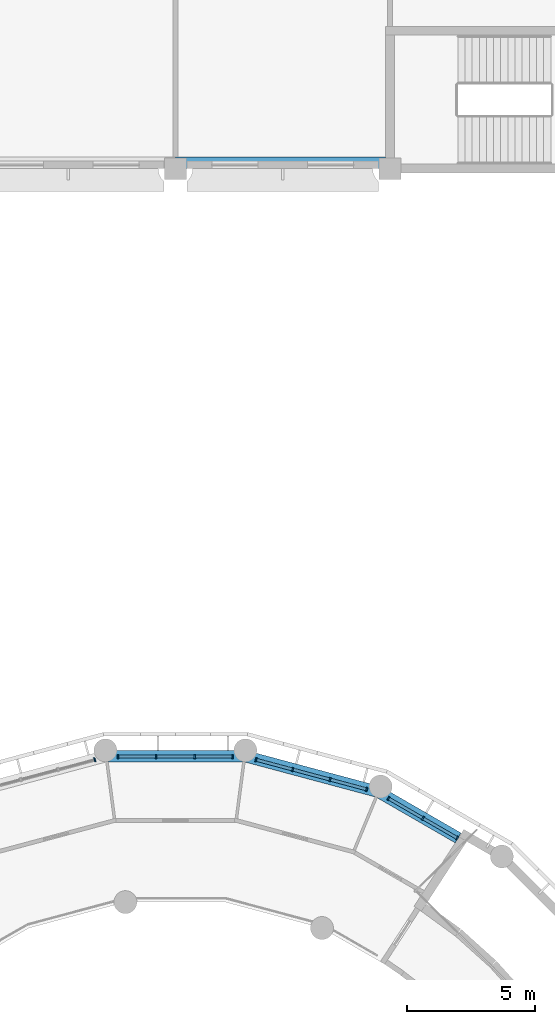
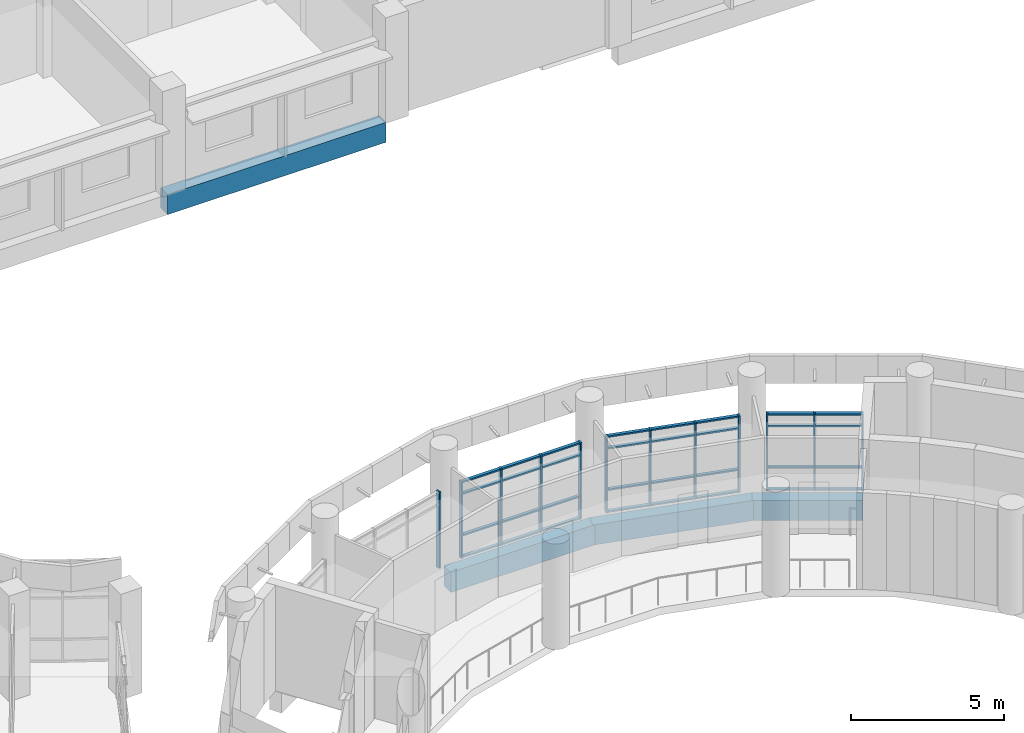
# One storey, part 25 of 109: 44 members, 4 beams, 4 elements without a shape of their own.
"""IFC4 building model written with IfcOpenShell, lengths in metres."""

from ifc_helpers import new_model, si_unit, direction, frame, origin, origin_2d, place, context, subcontext, project, spatial, rectangle, extrude, material, material_profile, profile_set, type_object, element, aggregate, save


model = new_model("IFC4")

# Units and contexts
model_context = context("Model", 3, precision=1e-05, world=origin(), true_north=direction((0.0, 1.0)))
body_context = subcontext(model_context, "Body", "Model", "MODEL_VIEW")
ifc_project = project(units=[si_unit("LENGTHUNIT", "METRE"), si_unit("AREAUNIT", "SQUARE_METRE"), si_unit("VOLUMEUNIT", "CUBIC_METRE"), si_unit("PLANEANGLEUNIT", "RADIAN"), si_unit("MASSUNIT", "GRAM", prefix="KILO")], contexts=[model_context])

# Site, building, storey
site_placement = place(None, origin())
site = spatial("IfcSite", under=ifc_project, at=site_placement, CompositionType="ELEMENT")
building_placement = place(site_placement, origin())
building = spatial("IfcBuilding", under=site, at=building_placement, Name="Bougainvillea Quay General Hospital", CompositionType="ELEMENT")
storey_placement = place(building_placement, frame((0.0, 0.0, 12.60009765625)))
storey = spatial("IfcBuildingStorey", under=building, at=storey_placement, Name="L02", CompositionType="ELEMENT", Elevation=12.60009765625)

# Curtain wall, members
ifc_material_1 = material(Name="Aluminium curtain wall system, powder-coated glazed", Category="aluminium")
curtain_wall_type_1 = type_object("IfcCurtainWallType", Name="Unitised curtain wall CW-1585", PredefinedType="NOTDEFINED", material=ifc_material_1)
curtain_wall_1_placement = place(storey_placement, origin())
curtain_wall_1 = element("IfcCurtainWall", 1, at=curtain_wall_1_placement, inside=storey, type_object=curtain_wall_type_1, Name="CW-D 00", PredefinedType="NOTDEFINED")
ifc_material_2 = material(Name="Aluminium mullion, powder-coated charcoal", Category="aluminium")
ifc_material_profile_1 = material_profile(ifc_material_2, rectangle(XDim=0.159912109375, YDim=0.06005859375, at=origin_2d()))
ifc_profile_set_1 = profile_set([ifc_material_profile_1], Name="Aluminium mullion, powder-coated charcoal")
member_type_1 = type_object("IfcMemberType", Name="Curtain wall mullion 160x60", PredefinedType="MULLION", material=ifc_profile_set_1)
member_1_placement = place(storey_placement, frame((120.2373046875, 91.379638671875, 0.0), z_axis=(0.0, 0.0, 1.0), x_axis=(-0.499964557262, -0.866045865692, 0.0)))
member_1 = element("IfcMember", 2, at=member_1_placement, type_object=member_type_1, Name="CW-D mullion 1", PredefinedType="MULLION", context=body_context, shape_type="SweptSolid", body=[
    extrude(rectangle(XDim=0.159912109375, YDim=0.06005859375, at=origin_2d()), origin(), (0.0, 0.0, 1.0), 3.0498046875),
])
member_2_placement = place(storey_placement, frame((118.890625, 92.1572265625, 0.0), z_axis=(0.0, 0.0, 1.0), x_axis=(-0.499964557262, -0.866045865692, 0.0)))
member_2 = element("IfcMember", 3, at=member_2_placement, type_object=member_type_1, Name="CW-D mullion 2", PredefinedType="MULLION", context=body_context, shape_type="SweptSolid", body=[
    extrude(rectangle(XDim=0.159912109375, YDim=0.06005859375, at=origin_2d()), origin(), (0.0, 0.0, 1.0), 3.0498046875),
])
member_3_placement = place(storey_placement, frame((117.5439453125, 92.9345703125, 0.0), z_axis=(0.0, 0.0, 1.0), x_axis=(-0.499964557262, -0.866045865692, 0.0)))
member_3 = element("IfcMember", 4, at=member_3_placement, type_object=member_type_1, Name="CW-D mullion 3", PredefinedType="MULLION", context=body_context, shape_type="SweptSolid", body=[
    extrude(rectangle(XDim=0.159912109375, YDim=0.06005859375, at=origin_2d()), origin(), (0.0, 0.0, 1.0), 3.0498046875),
])

curtain_wall_type_2 = type_object("IfcCurtainWallType", Name="Unitised curtain wall CW-1514", PredefinedType="NOTDEFINED", material=ifc_material_1)
curtain_wall_2_placement = place(storey_placement, origin())
curtain_wall_2 = element("IfcCurtainWall", 5, at=curtain_wall_2_placement, inside=storey, type_object=curtain_wall_type_2, Name="CW-D 00", PredefinedType="NOTDEFINED")
member_4_placement = place(storey_placement, frame((116.688232421875, 93.2890625, 0.0), z_axis=(0.0, 0.0, 1.0), x_axis=(-0.258854621298, -0.965916292974, 0.0)))
member_4 = element("IfcMember", 6, at=member_4_placement, type_object=member_type_1, Name="CW-D mullion 1", PredefinedType="MULLION", context=body_context, shape_type="SweptSolid", body=[
    extrude(rectangle(XDim=0.159912109375, YDim=0.06005859375, at=origin_2d()), origin(), (0.0, 0.0, 1.0), 3.0498046875),
])
member_5_placement = place(storey_placement, frame((115.2548828125, 93.673095703125, 0.0), z_axis=(0.0, 0.0, 1.0), x_axis=(-0.258854621298, -0.965916292974, 0.0)))
member_5 = element("IfcMember", 7, at=member_5_placement, type_object=member_type_1, Name="CW-D mullion 2", PredefinedType="MULLION", context=body_context, shape_type="SweptSolid", body=[
    extrude(rectangle(XDim=0.159912109375, YDim=0.06005859375, at=origin_2d()), origin(), (0.0, 0.0, 1.0), 3.0498046875),
])
member_6_placement = place(storey_placement, frame((113.792724609375, 94.06494140625, 0.0), z_axis=(0.0, 0.0, 1.0), x_axis=(-0.258854621298, -0.965916292974, 0.0)))
member_6 = element("IfcMember", 8, at=member_6_placement, type_object=member_type_1, Name="CW-D mullion 3", PredefinedType="MULLION", context=body_context, shape_type="SweptSolid", body=[
    extrude(rectangle(XDim=0.159912109375, YDim=0.06005859375, at=origin_2d()), origin(), (0.0, 0.0, 1.0), 3.0498046875),
])
member_7_placement = place(storey_placement, frame((112.359130859375, 94.448974609375, 0.0), z_axis=(0.0, 0.0, 1.0), x_axis=(-0.258854621298, -0.965916292974, 0.0)))
member_7 = element("IfcMember", 9, at=member_7_placement, type_object=member_type_1, Name="CW-D mullion 4", PredefinedType="MULLION", context=body_context, shape_type="SweptSolid", body=[
    extrude(rectangle(XDim=0.159912109375, YDim=0.06005859375, at=origin_2d()), origin(), (0.0, 0.0, 1.0), 3.0498046875),
])

curtain_wall_3_placement = place(storey_placement, origin())
curtain_wall_3 = element("IfcCurtainWall", 10, at=curtain_wall_3_placement, inside=storey, type_object=curtain_wall_type_2, Name="CW-D 00", PredefinedType="NOTDEFINED")
member_8_placement = place(storey_placement, frame((111.44091796875, 94.570068359375, 0.0), z_axis=(0.0, 0.0, 1.0), x_axis=(0.0, -1.0, 0.0)))
member_8 = element("IfcMember", 11, at=member_8_placement, type_object=member_type_1, Name="CW-D mullion 1", PredefinedType="MULLION", context=body_context, shape_type="SweptSolid", body=[
    extrude(rectangle(XDim=0.159912109375, YDim=0.06005859375, at=origin_2d()), origin(), (0.0, 0.0, 1.0), 3.0498046875),
])
member_9_placement = place(storey_placement, frame((109.95703125, 94.570068359375, 0.0), z_axis=(0.0, 0.0, 1.0), x_axis=(0.0, -1.0, 0.0)))
member_9 = element("IfcMember", 12, at=member_9_placement, type_object=member_type_1, Name="CW-D mullion 2", PredefinedType="MULLION", context=body_context, shape_type="SweptSolid", body=[
    extrude(rectangle(XDim=0.159912109375, YDim=0.06005859375, at=origin_2d()), origin(), (0.0, 0.0, 1.0), 3.0498046875),
])
member_10_placement = place(storey_placement, frame((108.443115234375, 94.570068359375, 0.0), z_axis=(0.0, 0.0, 1.0), x_axis=(0.0, -1.0, 0.0)))
member_10 = element("IfcMember", 13, at=member_10_placement, type_object=member_type_1, Name="CW-D mullion 3", PredefinedType="MULLION", context=body_context, shape_type="SweptSolid", body=[
    extrude(rectangle(XDim=0.159912109375, YDim=0.06005859375, at=origin_2d()), origin(), (0.0, 0.0, 1.0), 3.0498046875),
])
member_11_placement = place(storey_placement, frame((106.958984375, 94.570068359375, 0.0), z_axis=(0.0, 0.0, 1.0), x_axis=(0.0, -1.0, 0.0)))
member_11 = element("IfcMember", 14, at=member_11_placement, type_object=member_type_1, Name="CW-D mullion 4", PredefinedType="MULLION", context=body_context, shape_type="SweptSolid", body=[
    extrude(rectangle(XDim=0.159912109375, YDim=0.06005859375, at=origin_2d()), origin(), (0.0, 0.0, 1.0), 3.0498046875),
])

# Curtain wall, member
curtain_wall_4_placement = place(storey_placement, origin())
curtain_wall_4 = element("IfcCurtainWall", 15, at=curtain_wall_4_placement, inside=storey, type_object=curtain_wall_type_2, Name="CW-D 00", PredefinedType="NOTDEFINED")
member_12_placement = place(storey_placement, frame((106.040771484375, 94.448974609375, 0.0), z_axis=(0.0, 0.0, 1.0), x_axis=(0.258854621298, -0.965916292974, 0.0)))
member_12 = element("IfcMember", 16, at=member_12_placement, type_object=member_type_1, Name="CW-D mullion 1", PredefinedType="MULLION", context=body_context, shape_type="SweptSolid", body=[
    extrude(rectangle(XDim=0.159912109375, YDim=0.06005859375, at=origin_2d()), origin(), (0.0, 0.0, 1.0), 3.0498046875),
])
aggregate(curtain_wall_4, [member_12])

# Member
ifc_material_3 = material(Name="Aluminium transom, powder-coated charcoal", Category="aluminium")
ifc_material_profile_2 = material_profile(ifc_material_3, rectangle(XDim=0.1201171875, YDim=0.06005859375, at=origin_2d()))
ifc_profile_set_2 = profile_set([ifc_material_profile_2], Name="Aluminium transom, powder-coated charcoal")
member_type_2 = type_object("IfcMemberType", Name="Curtain wall transom 120x60", PredefinedType="USERDEFINED", material=ifc_profile_set_2)
member_13_placement = place(storey_placement, frame((120.211181640625, 91.394775390625, 0.02978515625), z_axis=(-0.866074087889, 0.499915667175, 0.0), x_axis=(-0.499915667175, -0.866074087889, 0.0)))
member_13 = element("IfcMember", 17, at=member_13_placement, type_object=member_type_2, Name="CW-D transom 1.1", ObjectType="TRANSOM", PredefinedType="USERDEFINED", context=body_context, shape_type="SweptSolid", body=[
    extrude(rectangle(XDim=0.1201171875, YDim=0.06005859375, at=origin_2d()), origin(), (0.0, 0.0, 1.0), 1.494873046875),
])

member_14_placement = place(storey_placement, frame((120.211181640625, 91.394775390625, 0.89990234375), z_axis=(-0.866074087889, 0.499915667175, 0.0), x_axis=(-0.499915667175, -0.866074087889, 0.0)))
member_14 = element("IfcMember", 18, at=member_14_placement, type_object=member_type_2, Name="CW-D transom 1.2", ObjectType="TRANSOM", PredefinedType="USERDEFINED", context=body_context, shape_type="SweptSolid", body=[
    extrude(rectangle(XDim=0.1201171875, YDim=0.06005859375, at=origin_2d()), origin(), (0.0, 0.0, 1.0), 1.494873046875),
])

member_15_placement = place(storey_placement, frame((120.211181640625, 91.394775390625, 2.5498046875), z_axis=(-0.866074087889, 0.499915667175, 0.0), x_axis=(-0.499915667175, -0.866074087889, 0.0)))
member_15 = element("IfcMember", 19, at=member_15_placement, type_object=member_type_2, Name="CW-D transom 1.3", ObjectType="TRANSOM", PredefinedType="USERDEFINED", context=body_context, shape_type="SweptSolid", body=[
    extrude(rectangle(XDim=0.1201171875, YDim=0.06005859375, at=origin_2d()), origin(), (0.0, 0.0, 1.0), 1.494873046875),
])

member_16_placement = place(storey_placement, frame((120.211181640625, 91.394775390625, 3.02001953125), z_axis=(-0.866074087889, 0.499915667175, 0.0), x_axis=(-0.499915667175, -0.866074087889, 0.0)))
member_16 = element("IfcMember", 20, at=member_16_placement, type_object=member_type_2, Name="CW-D transom 1.4", ObjectType="TRANSOM", PredefinedType="USERDEFINED", context=body_context, shape_type="SweptSolid", body=[
    extrude(rectangle(XDim=0.1201171875, YDim=0.06005859375, at=origin_2d()), origin(), (0.0, 0.0, 1.0), 1.494873046875),
])

member_17_placement = place(storey_placement, frame((118.86474609375, 92.172119140625, 0.02978515625), z_axis=(-0.866074087889, 0.499915667175, 0.0), x_axis=(-0.499915667175, -0.866074087889, 0.0)))
member_17 = element("IfcMember", 21, at=member_17_placement, type_object=member_type_2, Name="CW-D transom 2.1", ObjectType="TRANSOM", PredefinedType="USERDEFINED", context=body_context, shape_type="SweptSolid", body=[
    extrude(rectangle(XDim=0.1201171875, YDim=0.06005859375, at=origin_2d()), origin(), (0.0, 0.0, 1.0), 1.494873046875),
])

member_18_placement = place(storey_placement, frame((118.86474609375, 92.172119140625, 0.89990234375), z_axis=(-0.866074087889, 0.499915667175, 0.0), x_axis=(-0.499915667175, -0.866074087889, 0.0)))
member_18 = element("IfcMember", 22, at=member_18_placement, type_object=member_type_2, Name="CW-D transom 2.2", ObjectType="TRANSOM", PredefinedType="USERDEFINED", context=body_context, shape_type="SweptSolid", body=[
    extrude(rectangle(XDim=0.1201171875, YDim=0.06005859375, at=origin_2d()), origin(), (0.0, 0.0, 1.0), 1.494873046875),
])

member_19_placement = place(storey_placement, frame((118.86474609375, 92.172119140625, 2.5498046875), z_axis=(-0.866074087889, 0.499915667175, 0.0), x_axis=(-0.499915667175, -0.866074087889, 0.0)))
member_19 = element("IfcMember", 23, at=member_19_placement, type_object=member_type_2, Name="CW-D transom 2.3", ObjectType="TRANSOM", PredefinedType="USERDEFINED", context=body_context, shape_type="SweptSolid", body=[
    extrude(rectangle(XDim=0.1201171875, YDim=0.06005859375, at=origin_2d()), origin(), (0.0, 0.0, 1.0), 1.494873046875),
])

member_20_placement = place(storey_placement, frame((118.86474609375, 92.172119140625, 3.02001953125), z_axis=(-0.866074087889, 0.499915667175, 0.0), x_axis=(-0.499915667175, -0.866074087889, 0.0)))
member_20 = element("IfcMember", 24, at=member_20_placement, type_object=member_type_2, Name="CW-D transom 2.4", ObjectType="TRANSOM", PredefinedType="USERDEFINED", context=body_context, shape_type="SweptSolid", body=[
    extrude(rectangle(XDim=0.1201171875, YDim=0.06005859375, at=origin_2d()), origin(), (0.0, 0.0, 1.0), 1.494873046875),
])

aggregate(curtain_wall_1, [member_1, member_2, member_3, member_13, member_14, member_15, member_16, member_17, member_18, member_19, member_20])

member_21_placement = place(storey_placement, frame((116.659423828125, 93.296630859375, 0.02978515625), z_axis=(-0.965909783806, 0.258878909043, 0.0), x_axis=(-0.258878909043, -0.965909783806, 0.0)))
member_21 = element("IfcMember", 25, at=member_21_placement, type_object=member_type_2, Name="CW-D transom 1.1", ObjectType="TRANSOM", PredefinedType="USERDEFINED", context=body_context, shape_type="SweptSolid", body=[
    extrude(rectangle(XDim=0.1201171875, YDim=0.06005859375, at=origin_2d()), origin(), (0.0, 0.0, 1.0), 1.424072265625),
])

member_22_placement = place(storey_placement, frame((116.659423828125, 93.296630859375, 0.89990234375), z_axis=(-0.965909783806, 0.258878909043, 0.0), x_axis=(-0.258878909043, -0.965909783806, 0.0)))
member_22 = element("IfcMember", 26, at=member_22_placement, type_object=member_type_2, Name="CW-D transom 1.2", ObjectType="TRANSOM", PredefinedType="USERDEFINED", context=body_context, shape_type="SweptSolid", body=[
    extrude(rectangle(XDim=0.1201171875, YDim=0.06005859375, at=origin_2d()), origin(), (0.0, 0.0, 1.0), 1.424072265625),
])

member_23_placement = place(storey_placement, frame((116.659423828125, 93.296630859375, 2.5498046875), z_axis=(-0.965909783806, 0.258878909043, 0.0), x_axis=(-0.258878909043, -0.965909783806, 0.0)))
member_23 = element("IfcMember", 27, at=member_23_placement, type_object=member_type_2, Name="CW-D transom 1.3", ObjectType="TRANSOM", PredefinedType="USERDEFINED", context=body_context, shape_type="SweptSolid", body=[
    extrude(rectangle(XDim=0.1201171875, YDim=0.06005859375, at=origin_2d()), origin(), (0.0, 0.0, 1.0), 1.424072265625),
])

member_24_placement = place(storey_placement, frame((116.659423828125, 93.296630859375, 3.02001953125), z_axis=(-0.965909783806, 0.258878909043, 0.0), x_axis=(-0.258878909043, -0.965909783806, 0.0)))
member_24 = element("IfcMember", 28, at=member_24_placement, type_object=member_type_2, Name="CW-D transom 1.4", ObjectType="TRANSOM", PredefinedType="USERDEFINED", context=body_context, shape_type="SweptSolid", body=[
    extrude(rectangle(XDim=0.1201171875, YDim=0.06005859375, at=origin_2d()), origin(), (0.0, 0.0, 1.0), 1.424072265625),
])

member_25_placement = place(storey_placement, frame((115.22607421875, 93.680908203125, 0.02978515625), z_axis=(-0.965947302154, 0.258738882778, 0.0), x_axis=(-0.258738882778, -0.965947302154, 0.0)))
member_25 = element("IfcMember", 29, at=member_25_placement, type_object=member_type_2, Name="CW-D transom 2.1", ObjectType="TRANSOM", PredefinedType="USERDEFINED", context=body_context, shape_type="SweptSolid", body=[
    extrude(rectangle(XDim=0.1201171875, YDim=0.06005859375, at=origin_2d()), origin(), (0.0, 0.0, 1.0), 1.4541015625),
])

member_26_placement = place(storey_placement, frame((115.22607421875, 93.680908203125, 0.89990234375), z_axis=(-0.965947302154, 0.258738882778, 0.0), x_axis=(-0.258738882778, -0.965947302154, 0.0)))
member_26 = element("IfcMember", 30, at=member_26_placement, type_object=member_type_2, Name="CW-D transom 2.2", ObjectType="TRANSOM", PredefinedType="USERDEFINED", context=body_context, shape_type="SweptSolid", body=[
    extrude(rectangle(XDim=0.1201171875, YDim=0.06005859375, at=origin_2d()), origin(), (0.0, 0.0, 1.0), 1.4541015625),
])

member_27_placement = place(storey_placement, frame((115.22607421875, 93.680908203125, 2.5498046875), z_axis=(-0.965947302154, 0.258738882778, 0.0), x_axis=(-0.258738882778, -0.965947302154, 0.0)))
member_27 = element("IfcMember", 31, at=member_27_placement, type_object=member_type_2, Name="CW-D transom 2.3", ObjectType="TRANSOM", PredefinedType="USERDEFINED", context=body_context, shape_type="SweptSolid", body=[
    extrude(rectangle(XDim=0.1201171875, YDim=0.06005859375, at=origin_2d()), origin(), (0.0, 0.0, 1.0), 1.4541015625),
])

member_28_placement = place(storey_placement, frame((115.22607421875, 93.680908203125, 3.02001953125), z_axis=(-0.965947302154, 0.258738882778, 0.0), x_axis=(-0.258738882778, -0.965947302154, 0.0)))
member_28 = element("IfcMember", 32, at=member_28_placement, type_object=member_type_2, Name="CW-D transom 2.4", ObjectType="TRANSOM", PredefinedType="USERDEFINED", context=body_context, shape_type="SweptSolid", body=[
    extrude(rectangle(XDim=0.1201171875, YDim=0.06005859375, at=origin_2d()), origin(), (0.0, 0.0, 1.0), 1.4541015625),
])

member_29_placement = place(storey_placement, frame((113.763671875, 94.07275390625, 0.02978515625), z_axis=(-0.965909783806, 0.258878909043, 0.0), x_axis=(-0.258878909043, -0.965909783806, 0.0)))
member_29 = element("IfcMember", 33, at=member_29_placement, type_object=member_type_2, Name="CW-D transom 3.1", ObjectType="TRANSOM", PredefinedType="USERDEFINED", context=body_context, shape_type="SweptSolid", body=[
    extrude(rectangle(XDim=0.1201171875, YDim=0.06005859375, at=origin_2d()), origin(), (0.0, 0.0, 1.0), 1.424072265625),
])

member_30_placement = place(storey_placement, frame((113.763671875, 94.07275390625, 0.89990234375), z_axis=(-0.965909783806, 0.258878909043, 0.0), x_axis=(-0.258878909043, -0.965909783806, 0.0)))
member_30 = element("IfcMember", 34, at=member_30_placement, type_object=member_type_2, Name="CW-D transom 3.2", ObjectType="TRANSOM", PredefinedType="USERDEFINED", context=body_context, shape_type="SweptSolid", body=[
    extrude(rectangle(XDim=0.1201171875, YDim=0.06005859375, at=origin_2d()), origin(), (0.0, 0.0, 1.0), 1.424072265625),
])

member_31_placement = place(storey_placement, frame((113.763671875, 94.07275390625, 2.5498046875), z_axis=(-0.965909783806, 0.258878909043, 0.0), x_axis=(-0.258878909043, -0.965909783806, 0.0)))
member_31 = element("IfcMember", 35, at=member_31_placement, type_object=member_type_2, Name="CW-D transom 3.3", ObjectType="TRANSOM", PredefinedType="USERDEFINED", context=body_context, shape_type="SweptSolid", body=[
    extrude(rectangle(XDim=0.1201171875, YDim=0.06005859375, at=origin_2d()), origin(), (0.0, 0.0, 1.0), 1.424072265625),
])

member_32_placement = place(storey_placement, frame((113.763671875, 94.07275390625, 3.02001953125), z_axis=(-0.965909783806, 0.258878909043, 0.0), x_axis=(-0.258878909043, -0.965909783806, 0.0)))
member_32 = element("IfcMember", 36, at=member_32_placement, type_object=member_type_2, Name="CW-D transom 3.4", ObjectType="TRANSOM", PredefinedType="USERDEFINED", context=body_context, shape_type="SweptSolid", body=[
    extrude(rectangle(XDim=0.1201171875, YDim=0.06005859375, at=origin_2d()), origin(), (0.0, 0.0, 1.0), 1.424072265625),
])

aggregate(curtain_wall_2, [member_4, member_5, member_6, member_7, member_21, member_22, member_23, member_24, member_25, member_26, member_27, member_28, member_29, member_30, member_31, member_32])

member_33_placement = place(storey_placement, frame((111.410888671875, 94.570068359375, 0.02978515625), z_axis=(-1.0, 0.0, 0.0), x_axis=(0.0, -1.0, 0.0)))
member_33 = element("IfcMember", 37, at=member_33_placement, type_object=member_type_2, Name="CW-D transom 1.1", ObjectType="TRANSOM", PredefinedType="USERDEFINED", context=body_context, shape_type="SweptSolid", body=[
    extrude(rectangle(XDim=0.1201171875, YDim=0.06005859375, at=origin_2d()), origin(), (0.0, 0.0, 1.0), 1.423828125),
])

member_34_placement = place(storey_placement, frame((111.410888671875, 94.570068359375, 0.89990234375), z_axis=(-1.0, 0.0, 0.0), x_axis=(0.0, -1.0, 0.0)))
member_34 = element("IfcMember", 38, at=member_34_placement, type_object=member_type_2, Name="CW-D transom 1.2", ObjectType="TRANSOM", PredefinedType="USERDEFINED", context=body_context, shape_type="SweptSolid", body=[
    extrude(rectangle(XDim=0.1201171875, YDim=0.06005859375, at=origin_2d()), origin(), (0.0, 0.0, 1.0), 1.423828125),
])

member_35_placement = place(storey_placement, frame((111.410888671875, 94.570068359375, 2.5498046875), z_axis=(-1.0, 0.0, 0.0), x_axis=(0.0, -1.0, 0.0)))
member_35 = element("IfcMember", 39, at=member_35_placement, type_object=member_type_2, Name="CW-D transom 1.3", ObjectType="TRANSOM", PredefinedType="USERDEFINED", context=body_context, shape_type="SweptSolid", body=[
    extrude(rectangle(XDim=0.1201171875, YDim=0.06005859375, at=origin_2d()), origin(), (0.0, 0.0, 1.0), 1.423828125),
])

member_36_placement = place(storey_placement, frame((111.410888671875, 94.570068359375, 3.02001953125), z_axis=(-1.0, 0.0, 0.0), x_axis=(0.0, -1.0, 0.0)))
member_36 = element("IfcMember", 40, at=member_36_placement, type_object=member_type_2, Name="CW-D transom 1.4", ObjectType="TRANSOM", PredefinedType="USERDEFINED", context=body_context, shape_type="SweptSolid", body=[
    extrude(rectangle(XDim=0.1201171875, YDim=0.06005859375, at=origin_2d()), origin(), (0.0, 0.0, 1.0), 1.423828125),
])

member_37_placement = place(storey_placement, frame((109.927001953125, 94.570068359375, 0.02978515625), z_axis=(-1.0, 0.0, 0.0), x_axis=(0.0, -1.0, 0.0)))
member_37 = element("IfcMember", 41, at=member_37_placement, type_object=member_type_2, Name="CW-D transom 2.1", ObjectType="TRANSOM", PredefinedType="USERDEFINED", context=body_context, shape_type="SweptSolid", body=[
    extrude(rectangle(XDim=0.1201171875, YDim=0.06005859375, at=origin_2d()), origin(), (0.0, 0.0, 1.0), 1.4541015625),
])

member_38_placement = place(storey_placement, frame((109.927001953125, 94.570068359375, 0.89990234375), z_axis=(-1.0, 0.0, 0.0), x_axis=(0.0, -1.0, 0.0)))
member_38 = element("IfcMember", 42, at=member_38_placement, type_object=member_type_2, Name="CW-D transom 2.2", ObjectType="TRANSOM", PredefinedType="USERDEFINED", context=body_context, shape_type="SweptSolid", body=[
    extrude(rectangle(XDim=0.1201171875, YDim=0.06005859375, at=origin_2d()), origin(), (0.0, 0.0, 1.0), 1.4541015625),
])

member_39_placement = place(storey_placement, frame((109.927001953125, 94.570068359375, 2.5498046875), z_axis=(-1.0, 0.0, 0.0), x_axis=(0.0, -1.0, 0.0)))
member_39 = element("IfcMember", 43, at=member_39_placement, type_object=member_type_2, Name="CW-D transom 2.3", ObjectType="TRANSOM", PredefinedType="USERDEFINED", context=body_context, shape_type="SweptSolid", body=[
    extrude(rectangle(XDim=0.1201171875, YDim=0.06005859375, at=origin_2d()), origin(), (0.0, 0.0, 1.0), 1.4541015625),
])

member_40_placement = place(storey_placement, frame((109.927001953125, 94.570068359375, 3.02001953125), z_axis=(-1.0, 0.0, 0.0), x_axis=(0.0, -1.0, 0.0)))
member_40 = element("IfcMember", 44, at=member_40_placement, type_object=member_type_2, Name="CW-D transom 2.4", ObjectType="TRANSOM", PredefinedType="USERDEFINED", context=body_context, shape_type="SweptSolid", body=[
    extrude(rectangle(XDim=0.1201171875, YDim=0.06005859375, at=origin_2d()), origin(), (0.0, 0.0, 1.0), 1.4541015625),
])

member_41_placement = place(storey_placement, frame((108.4130859375, 94.570068359375, 0.02978515625), z_axis=(-1.0, 0.0, 0.0), x_axis=(0.0, -1.0, 0.0)))
member_41 = element("IfcMember", 45, at=member_41_placement, type_object=member_type_2, Name="CW-D transom 3.1", ObjectType="TRANSOM", PredefinedType="USERDEFINED", context=body_context, shape_type="SweptSolid", body=[
    extrude(rectangle(XDim=0.1201171875, YDim=0.06005859375, at=origin_2d()), origin(), (0.0, 0.0, 1.0), 1.424072265625),
])

member_42_placement = place(storey_placement, frame((108.4130859375, 94.570068359375, 0.89990234375), z_axis=(-1.0, 0.0, 0.0), x_axis=(0.0, -1.0, 0.0)))
member_42 = element("IfcMember", 46, at=member_42_placement, type_object=member_type_2, Name="CW-D transom 3.2", ObjectType="TRANSOM", PredefinedType="USERDEFINED", context=body_context, shape_type="SweptSolid", body=[
    extrude(rectangle(XDim=0.1201171875, YDim=0.06005859375, at=origin_2d()), origin(), (0.0, 0.0, 1.0), 1.424072265625),
])

member_43_placement = place(storey_placement, frame((108.4130859375, 94.570068359375, 2.5498046875), z_axis=(-1.0, 0.0, 0.0), x_axis=(0.0, -1.0, 0.0)))
member_43 = element("IfcMember", 47, at=member_43_placement, type_object=member_type_2, Name="CW-D transom 3.3", ObjectType="TRANSOM", PredefinedType="USERDEFINED", context=body_context, shape_type="SweptSolid", body=[
    extrude(rectangle(XDim=0.1201171875, YDim=0.06005859375, at=origin_2d()), origin(), (0.0, 0.0, 1.0), 1.424072265625),
])

member_44_placement = place(storey_placement, frame((108.4130859375, 94.570068359375, 3.02001953125), z_axis=(-1.0, 0.0, 0.0), x_axis=(0.0, -1.0, 0.0)))
member_44 = element("IfcMember", 48, at=member_44_placement, type_object=member_type_2, Name="CW-D transom 3.4", ObjectType="TRANSOM", PredefinedType="USERDEFINED", context=body_context, shape_type="SweptSolid", body=[
    extrude(rectangle(XDim=0.1201171875, YDim=0.06005859375, at=origin_2d()), origin(), (0.0, 0.0, 1.0), 1.424072265625),
])

aggregate(curtain_wall_3, [member_8, member_9, member_10, member_11, member_33, member_34, member_35, member_36, member_37, member_38, member_39, member_40, member_41, member_42, member_43, member_44])

# Beams
ifc_material_4 = material(Name="Concrete C40", Category="concrete")
ifc_material_profile_3 = material_profile(ifc_material_4, rectangle(XDim=0.449951171875, YDim=0.800048828125, at=origin_2d()))
ifc_profile_set_3 = profile_set([ifc_material_profile_3], Name="Concrete C40")
beam_type = type_object("IfcBeamType", Name="RC BEAM 450x800 C40", PredefinedType="BEAM", material=ifc_profile_set_3)
beam_1_placement = place(storey_placement, frame((120.270263671875, 91.389404296875, -0.7001953125), z_axis=(-0.866039008871, 0.499976434558, 0.0), x_axis=(-0.499976434558, -0.866039008871, 0.0)))
element("IfcBeam", 49, at=beam_1_placement, inside=storey, type_object=beam_type, Name="Edge beam L02", PredefinedType="BEAM", context=body_context, shape_type="SweptSolid", body=[
    extrude(rectangle(XDim=0.449951171875, YDim=0.800048828125, at=origin_2d()), origin(), (0.0, 0.0, 1.0), 3.633544921875),
])
for number, where, z_axis, x_axis, name in (
    (50, (117.177734375, 93.18359375, -0.7001953125), (-0.965906696194, 0.258890429038, 0.0), (-0.258890429038, -0.965906696194, 0.0), "Edge beam L02"),
    (51, (111.94091796875, 94.594970703125, -0.7001953125), (-1.0, 0.0, 0.0), (0.0, -1.0, 0.0), "Edge beam L02"),
):
    element("IfcBeam", number, at=place(storey_placement, frame(where, z_axis=z_axis, x_axis=x_axis)), inside=storey, type_object=beam_type, Name=name, PredefinedType="BEAM", context=body_context, shape_type="SweptSolid", body=[
        extrude(rectangle(XDim=0.449951171875, YDim=0.800048828125, at=origin_2d()), origin(), (0.0, 0.0, 1.0), 5.48193359375),
    ])
beam_2_placement = place(storey_placement, frame((109.199951171875, 117.824951171875, -0.7001953125), z_axis=(1.0, 0.0, 0.0), x_axis=(0.0, 1.0, 0.0)))
element("IfcBeam", 52, at=beam_2_placement, inside=storey, type_object=beam_type, Name="Edge beam L02", PredefinedType="BEAM", context=body_context, shape_type="SweptSolid", body=[
    extrude(rectangle(XDim=0.449951171875, YDim=0.800048828125, at=origin_2d()), origin(), (0.0, 0.0, 1.0), 8.22509765625),
])

save(model, "model.ifc")
